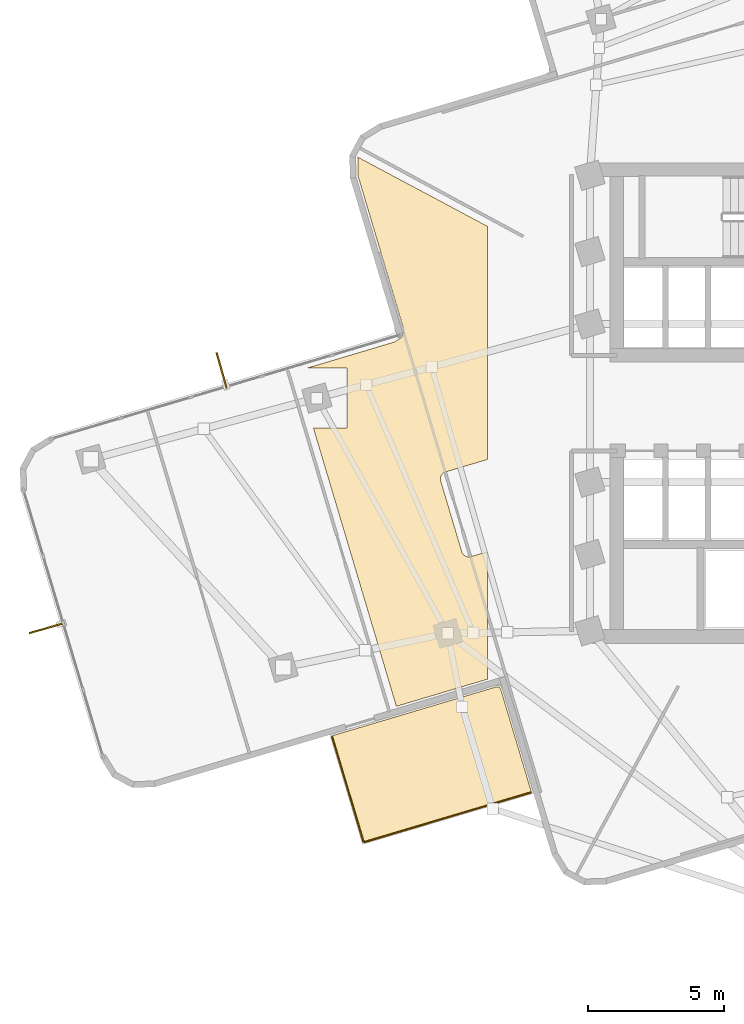
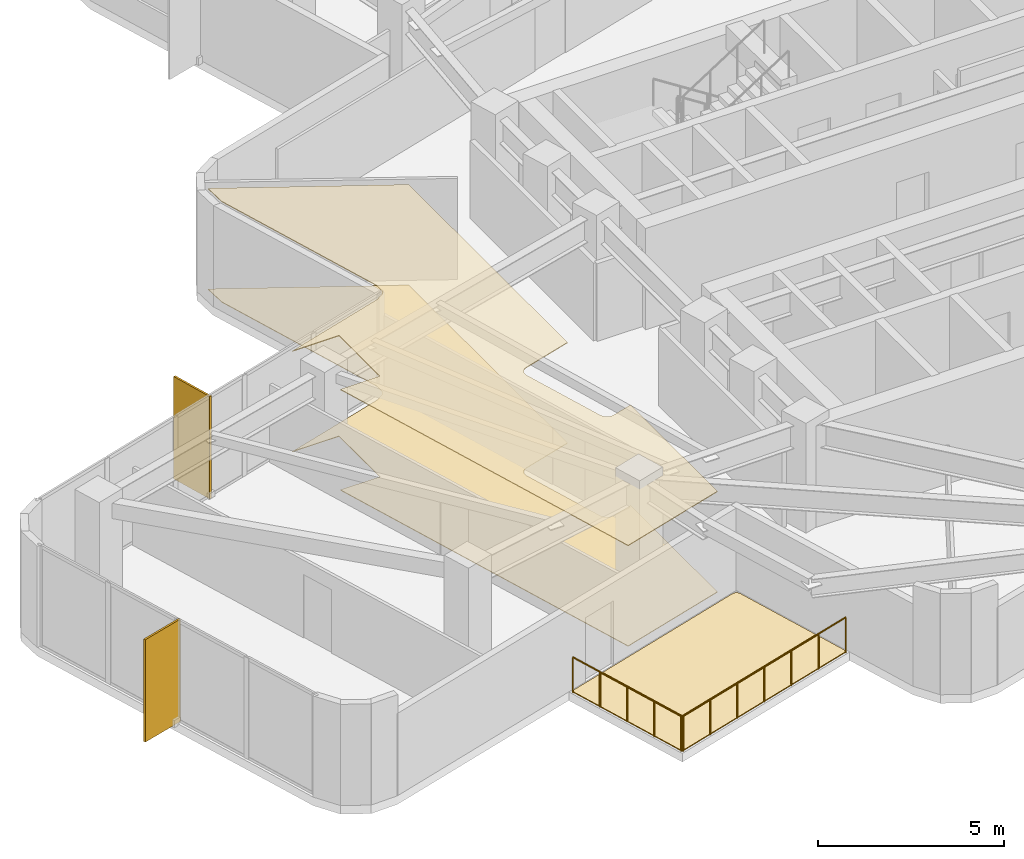
# One storey, part 9 of 11: 3 coverings, 2 railings, 2 shading devices.
"""IFC4 building model written with IfcOpenShell, lengths in metres."""

from ifc_helpers import new_model, si_unit, direction, frame, origin, origin_2d, place, context, subcontext, project, spatial, polyline, rectangle, circle, outline, extrude, material, layer, layer_set, type_object, element, save


model = new_model("IFC4")

# Units and contexts
model_context = context("Model", 3, precision=1e-05, world=origin(), true_north=direction((0.0, 1.0)))
body_context = subcontext(model_context, "Body", "Model", "MODEL_VIEW")
ifc_project = project(units=[si_unit("LENGTHUNIT", "METRE"), si_unit("AREAUNIT", "SQUARE_METRE"), si_unit("VOLUMEUNIT", "CUBIC_METRE"), si_unit("PLANEANGLEUNIT", "RADIAN"), si_unit("MASSUNIT", "GRAM", prefix="KILO")], contexts=[model_context])

# Site, building, storey
site_placement = place(None, origin())
site = spatial("IfcSite", under=ifc_project, at=site_placement, CompositionType="ELEMENT")
building_placement = place(site_placement, origin())
building = spatial("IfcBuilding", under=site, at=building_placement, Name="Solmarez Civic Tower", CompositionType="ELEMENT")
storey_placement = place(building_placement, frame((0.0, 0.0, 141.47998046875)))
storey = spatial("IfcBuildingStorey", under=building, at=storey_placement, Name="L37", CompositionType="ELEMENT", Elevation=141.47998046875)

# Coverings
ifc_material_1 = material(Name="Perforated Mineral-Fibre Acoustic Ceiling")
ifc_layer_1 = layer(ifc_material_1, 0.02490234375)
ifc_layer_set_1 = layer_set([ifc_layer_1], Name="Perforated Mineral-Fibre Acoustic Ceiling")
covering_type_1 = type_object("IfcCoveringType", Name="COV-CEIL-ACOUSTIC", PredefinedType="CEILING", material=ifc_layer_set_1)
covering_1_placement = place(storey_placement, frame((0.0, 0.0, 3.294921875)))
element("IfcCovering", 1, at=covering_1_placement, inside=storey, type_object=covering_type_1, Name="L37 Suspended Acoustic Ceiling 1", PredefinedType="CEILING", context=body_context, shape_type="SweptSolid", body=[
    extrude(outline(polyline([(-15.947998046875, -11.118896484375), (-12.60009765625, -10.1220703125), (-12.60009765625, -5.447021484375), (-13.217041015625, -5.631103515625), (-13.237060546875, -5.635986328125), (-13.258056640625, -5.638916015625), (-13.26806640625, -5.639892578125), (-13.2900390625, -5.64111328125), (-13.294921875, -5.64111328125), (-13.31689453125, -5.639892578125), (-13.337890625, -5.636962890625), (-13.343017578125, -5.635986328125), (-13.3701171875, -5.62890625), (-13.37890625, -5.6259765625), (-13.39111328125, -5.62109375), (-13.39599609375, -5.618896484375), (-13.4130859375, -5.611083984375), (-13.429931640625, -5.60205078125), (-13.446044921875, -5.591064453125), (-13.4580078125, -5.58203125), (-13.47607421875, -5.56689453125), (-13.492919921875, -5.549072265625), (-13.4990234375, -5.5419921875), (-13.511962890625, -5.52490234375), (-13.52294921875, -5.507080078125), (-13.532958984375, -5.488037109375), (-13.537109375, -5.47900390625), (-13.5400390625, -5.471923828125), (-13.5419921875, -5.467041015625), (-13.549072265625, -5.447998046875), (-14.321044921875, -2.85595703125), (-14.325927734375, -2.8359375), (-14.326904296875, -2.8310546875), (-14.330078125, -2.81005859375), (-14.3310546875, -2.7880859375), (-14.3310546875, -2.778076171875), (-14.330078125, -2.756103515625), (-14.326904296875, -2.735107421875), (-14.325927734375, -2.72998046875), (-14.319091796875, -2.702880859375), (-14.31591796875, -2.694091796875), (-14.31103515625, -2.681884765625), (-14.30908203125, -2.677001953125), (-14.301025390625, -2.659912109375), (-14.2919921875, -2.64306640625), (-14.281005859375, -2.626953125), (-14.27197265625, -2.614990234375), (-14.257080078125, -2.596923828125), (-14.239013671875, -2.580078125), (-14.23193359375, -2.573974609375), (-14.215087890625, -2.56103515625), (-14.197021484375, -2.550048828125), (-14.177978515625, -2.5400390625), (-14.1689453125, -2.535888671875), (-14.162109375, -2.532958984375), (-14.156982421875, -2.531005859375), (-14.137939453125, -2.52392578125), (-12.60009765625, -2.06591796875), (-12.60009765625, 6.47509765625), (-17.361083984375, 9.01611328125), (-17.364013671875, 9.009033203125), (-17.344970703125, 8.301025390625), (-15.721923828125, 2.85888671875), (-15.717041015625, 2.840087890625), (-15.712890625, 2.820068359375), (-15.7109375, 2.805908203125), (-15.708984375, 2.780029296875), (-15.705078125, 2.60302734375), (-15.705078125, 2.594970703125), (-15.70703125, 2.56396484375), (-15.7080078125, 2.55908203125), (-15.708984375, 2.552978515625), (-15.7109375, 2.535888671875), (-15.715087890625, 2.52001953125), (-15.717041015625, 2.512939453125), (-15.72705078125, 2.486083984375), (-15.72998046875, 2.47900390625), (-15.740966796875, 2.45703125), (-15.7451171875, 2.449951171875), (-15.7529296875, 2.43701171875), (-15.757080078125, 2.430908203125), (-15.77099609375, 2.412109375), (-15.77587890625, 2.406005859375), (-15.7890625, 2.39111328125), (-15.7939453125, 2.385986328125), (-15.80908203125, 2.373046875), (-15.81494140625, 2.367919921875), (-15.827880859375, 2.35791015625), (-15.8349609375, 2.35302734375), (-15.847900390625, 2.344970703125), (-15.993896484375, 2.2548828125), (-16.010986328125, 2.2451171875), (-16.01708984375, 2.241943359375), (-16.028076171875, 2.237060546875), (-16.034912109375, 2.23388671875), (-16.052001953125, 2.22705078125), (-16.05810546875, 2.22509765625), (-16.06494140625, 2.222900390625), (-19.218017578125, 1.282958984375), (-17.760009765625, 1.282958984375), (-17.760009765625, -0.9169921875), (-18.989013671875, -0.9169921875), (-15.947998046875, -11.118896484375)])), origin(), (0.0, 0.0, 1.0), 0.025146484375),
])
ifc_material_2 = material(Name="Polished Tropical Stone Terrazzo Flooring", Category="masonry")
ifc_layer_2 = layer(ifc_material_2, 0.02001953125)
ifc_layer_set_2 = layer_set([ifc_layer_2], Name="Polished Tropical Stone Terrazzo Flooring")
covering_type_2 = type_object("IfcCoveringType", Name="COV-FLOOR-TERRAZZO", PredefinedType="FLOORING", material=ifc_layer_set_2)
covering_2_placement = place(storey_placement, origin())
element("IfcCovering", 2, at=covering_2_placement, inside=storey, type_object=covering_type_2, Name="L37 Terrazzo Floor Finish 1", PredefinedType="FLOORING", context=body_context, shape_type="SweptSolid", body=[
    extrude(outline(polyline([(-15.947998046875, -11.118896484375), (-12.60009765625, -10.1220703125), (-12.60009765625, -5.447021484375), (-13.217041015625, -5.631103515625), (-13.237060546875, -5.635986328125), (-13.258056640625, -5.638916015625), (-13.26806640625, -5.639892578125), (-13.2900390625, -5.64111328125), (-13.294921875, -5.64111328125), (-13.31689453125, -5.639892578125), (-13.337890625, -5.636962890625), (-13.343017578125, -5.635986328125), (-13.3701171875, -5.62890625), (-13.37890625, -5.6259765625), (-13.39111328125, -5.62109375), (-13.39599609375, -5.618896484375), (-13.4130859375, -5.611083984375), (-13.429931640625, -5.60205078125), (-13.446044921875, -5.591064453125), (-13.4580078125, -5.58203125), (-13.47607421875, -5.56689453125), (-13.492919921875, -5.549072265625), (-13.4990234375, -5.5419921875), (-13.511962890625, -5.52490234375), (-13.52294921875, -5.507080078125), (-13.532958984375, -5.488037109375), (-13.537109375, -5.47900390625), (-13.5400390625, -5.471923828125), (-13.5419921875, -5.467041015625), (-13.549072265625, -5.447998046875), (-14.321044921875, -2.85595703125), (-14.325927734375, -2.8359375), (-14.326904296875, -2.8310546875), (-14.330078125, -2.81005859375), (-14.3310546875, -2.7880859375), (-14.3310546875, -2.778076171875), (-14.330078125, -2.756103515625), (-14.326904296875, -2.735107421875), (-14.325927734375, -2.72998046875), (-14.319091796875, -2.702880859375), (-14.31591796875, -2.694091796875), (-14.31103515625, -2.681884765625), (-14.30908203125, -2.677001953125), (-14.301025390625, -2.659912109375), (-14.2919921875, -2.64306640625), (-14.281005859375, -2.626953125), (-14.27197265625, -2.614990234375), (-14.257080078125, -2.596923828125), (-14.239013671875, -2.580078125), (-14.23193359375, -2.573974609375), (-14.215087890625, -2.56103515625), (-14.197021484375, -2.550048828125), (-14.177978515625, -2.5400390625), (-14.1689453125, -2.535888671875), (-14.162109375, -2.532958984375), (-14.156982421875, -2.531005859375), (-14.137939453125, -2.52392578125), (-12.60009765625, -2.06591796875), (-12.60009765625, 6.47509765625), (-17.361083984375, 9.01611328125), (-17.364013671875, 9.009033203125), (-17.344970703125, 8.301025390625), (-15.721923828125, 2.85888671875), (-15.717041015625, 2.840087890625), (-15.712890625, 2.820068359375), (-15.7109375, 2.805908203125), (-15.708984375, 2.780029296875), (-15.705078125, 2.60302734375), (-15.705078125, 2.594970703125), (-15.70703125, 2.56396484375), (-15.7080078125, 2.55908203125), (-15.708984375, 2.552978515625), (-15.7109375, 2.535888671875), (-15.715087890625, 2.52001953125), (-15.717041015625, 2.512939453125), (-15.72705078125, 2.486083984375), (-15.72998046875, 2.47900390625), (-15.740966796875, 2.45703125), (-15.7451171875, 2.449951171875), (-15.7529296875, 2.43701171875), (-15.757080078125, 2.430908203125), (-15.77099609375, 2.412109375), (-15.77587890625, 2.406005859375), (-15.7890625, 2.39111328125), (-15.7939453125, 2.385986328125), (-15.80908203125, 2.373046875), (-15.81494140625, 2.367919921875), (-15.827880859375, 2.35791015625), (-15.8349609375, 2.35302734375), (-15.847900390625, 2.344970703125), (-15.993896484375, 2.2548828125), (-16.010986328125, 2.2451171875), (-16.01708984375, 2.241943359375), (-16.028076171875, 2.237060546875), (-16.034912109375, 2.23388671875), (-16.052001953125, 2.22705078125), (-16.05810546875, 2.22509765625), (-16.06494140625, 2.222900390625), (-19.218017578125, 1.282958984375), (-17.760009765625, 1.282958984375), (-17.760009765625, -0.9169921875), (-18.989013671875, -0.9169921875), (-15.947998046875, -11.118896484375)])), origin(), (0.0, 0.0, 1.0), 0.02001953125),
])
ifc_material_3 = material(Name="Elastomeric Terrace Waterproofing Membrane")
ifc_layer_3 = layer(ifc_material_3, 0.030029296875)
ifc_layer_set_3 = layer_set([ifc_layer_3], Name="Elastomeric Terrace Waterproofing Membrane")
covering_type_3 = type_object("IfcCoveringType", Name="COV-MEMBRANE-ROOF", PredefinedType="ROOFING", material=ifc_layer_set_3)
covering_3_placement = place(storey_placement, origin())
element("IfcCovering", 3, at=covering_3_placement, inside=storey, type_object=covering_type_3, Name="L37 Balcony Waterproofing SW", PredefinedType="ROOFING", context=body_context, shape_type="SweptSolid", body=[
    extrude(outline(polyline([(-12.112060546875, -10.51806640625), (-12.178955078125, -10.407958984375), (-12.306884765625, -10.412109375), (-18.31689453125, -12.202880859375), (-17.152099609375, -16.111083984375), (-10.991943359375, -14.27587890625), (-12.112060546875, -10.51806640625)])), origin(), (0.0, 0.0, 1.0), 0.030029296875),
])

# Shading devices
ifc_material_4 = material(Name="Bronze Anodised Aluminium EN AW-6063 T6", Category="aluminium")
ifc_layer_4 = layer(ifc_material_4, 0.06005859375)
ifc_layer_set_4 = layer_set([ifc_layer_4], Name="Bronze Anodised Aluminium EN AW-6063 T6")
shading_device_type = type_object("IfcShadingDeviceType", Name="FIN-BRONZE-Z34", PredefinedType="USERDEFINED", material=ifc_layer_set_4)
for number, where, z_axis, x_axis, name in (
    (4, (-28.757080078125, -8.25, -0.0400390625), (0.0, 0.0, 1.0), (-0.962008613602, -0.273019097054, 0.0), "L37 Anodised Bronze Solar Fin FIN-L37-01"),
    (5, (-22.35595703125, 1.197998046875, -0.0400390625), (0.0, 0.0, 1.0), (-0.272901563492, 0.962041961997, 0.0), "L37 Anodised Bronze Solar Fin FIN-L37-02"),
):
    element("IfcShadingDevice", number, at=place(storey_placement, frame(where, z_axis=z_axis, x_axis=x_axis)), inside=storey, type_object=shading_device_type, Name=name, ObjectType="FIN", PredefinedType="USERDEFINED", context=body_context, shape_type="SweptSolid", body=[
        extrude(rectangle(XDim=1.35009765625, YDim=0.06005859375, at=origin_2d()), origin(), (0.0, 0.0, 1.0), 3.360107421875),
    ])

# Railings
ifc_material_5 = material(Name="Bronze Anodised Aluminium and Laminated Safety Glass Balustrade", Category="aluminium")
railing_type = type_object("IfcRailingType", Name="GUARD-TERR-1180", PredefinedType="BALUSTRADE", material=ifc_material_5)
railing_1_placement = place(storey_placement, frame((-18.306884765625, -12.237060546875, 0.0)))
element("IfcRailing", 6, at=railing_1_placement, inside=storey, type_object=railing_type, Name="L37 Safety Balustrade GRD-BALC-L37-SW-1", PredefinedType="BALUSTRADE", context=body_context, shape_type="SweptSolid", body=[
    extrude(circle(Radius=0.02392578125, at=origin_2d()), frame((0.0, 0.0, 1.15576171875), z_axis=(0.285704010917, -0.958317910793, 0.0), x_axis=(0.958317910793, 0.285704010917, 0.0)), (0.0, 0.0, 1.0), 4.0068359375),
    extrude(circle(Radius=0.02099609375, at=origin_2d()), origin(), (0.0, 0.0, 1.0), 1.1318359375),
    extrude(circle(Radius=0.02099609375, at=origin_2d()), frame((0.2861328125, -0.9599609375, 0.0)), (0.0, 0.0, 1.0), 1.1318359375),
    extrude(circle(Radius=0.02099609375, at=origin_2d()), frame((0.572265625, -1.919921875, 0.0)), (0.0, 0.0, 1.0), 1.1318359375),
    extrude(circle(Radius=0.02099609375, at=origin_2d()), frame((0.858642578125, -2.8798828125, 0.0)), (0.0, 0.0, 1.0), 1.1318359375),
    extrude(circle(Radius=0.02099609375, at=origin_2d()), frame((1.144775390625, -3.83984375, 0.0)), (0.0, 0.0, 1.0), 1.1318359375),
])
railing_2_placement = place(storey_placement, frame((-17.117919921875, -16.10107421875, 0.0)))
element("IfcRailing", 7, at=railing_2_placement, inside=storey, type_object=railing_type, Name="L37 Safety Balustrade GRD-BALC-L37-SW-2", PredefinedType="BALUSTRADE", context=body_context, shape_type="SweptSolid", body=[
    extrude(circle(Radius=0.02392578125, at=origin_2d()), frame((0.0, 0.0, 1.15576171875), z_axis=(0.958362652411, 0.285553894148, 0.0), x_axis=(-0.285553894148, 0.958362652411, 0.0)), (0.0, 0.0, 1.0), 6.356689453125),
    extrude(circle(Radius=0.02099609375, at=origin_2d()), origin(), (0.0, 0.0, 1.0), 1.1318359375),
    extrude(circle(Radius=0.02099609375, at=origin_2d()), frame((1.015380859375, 0.302490234375, 0.0)), (0.0, 0.0, 1.0), 1.1318359375),
    extrude(circle(Radius=0.02099609375, at=origin_2d()), frame((2.03076171875, 0.60498046875, 0.0)), (0.0, 0.0, 1.0), 1.1318359375),
    extrude(circle(Radius=0.02099609375, at=origin_2d()), frame((3.0458984375, 0.90771484375, 0.0)), (0.0, 0.0, 1.0), 1.1318359375),
    extrude(circle(Radius=0.02099609375, at=origin_2d()), frame((4.061279296875, 1.210205078125, 0.0)), (0.0, 0.0, 1.0), 1.1318359375),
    extrude(circle(Radius=0.02099609375, at=origin_2d()), frame((5.07666015625, 1.5126953125, 0.0)), (0.0, 0.0, 1.0), 1.1318359375),
    extrude(circle(Radius=0.02099609375, at=origin_2d()), frame((6.092041015625, 1.815185546875, 0.0)), (0.0, 0.0, 1.0), 1.1318359375),
])

save(model, "model.ifc")
